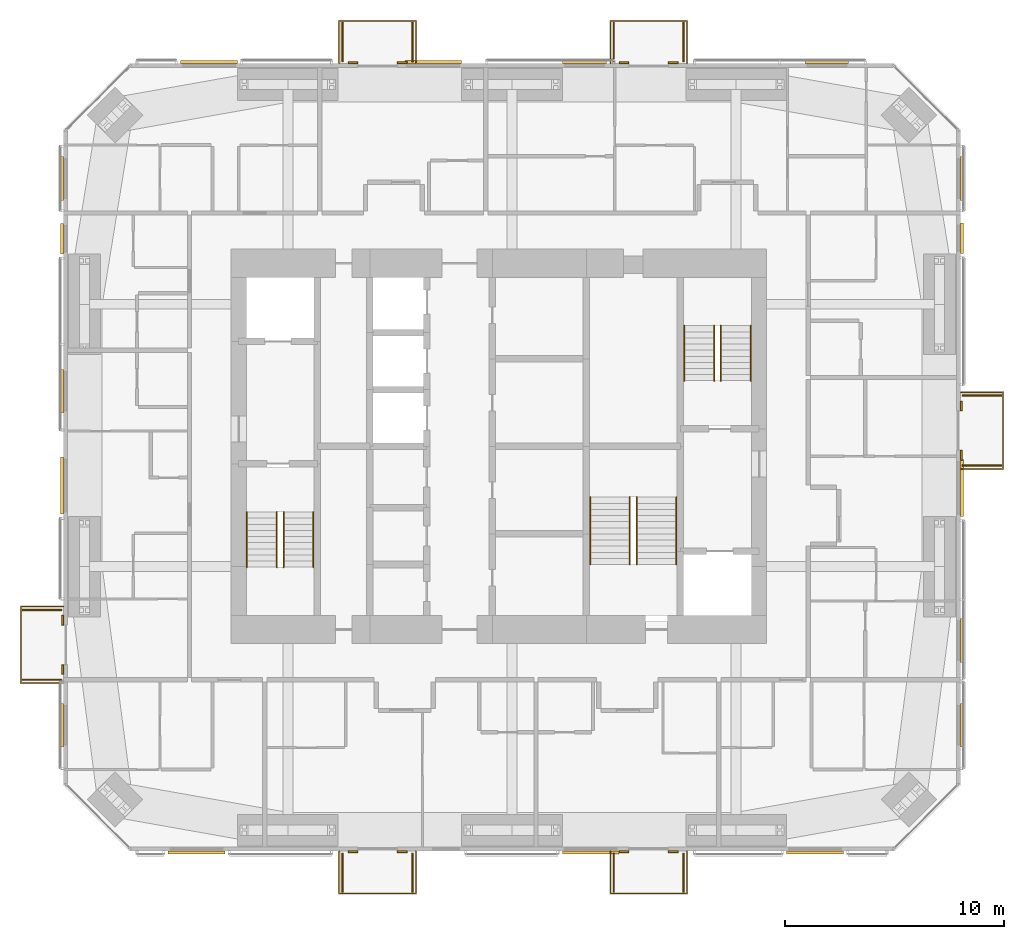
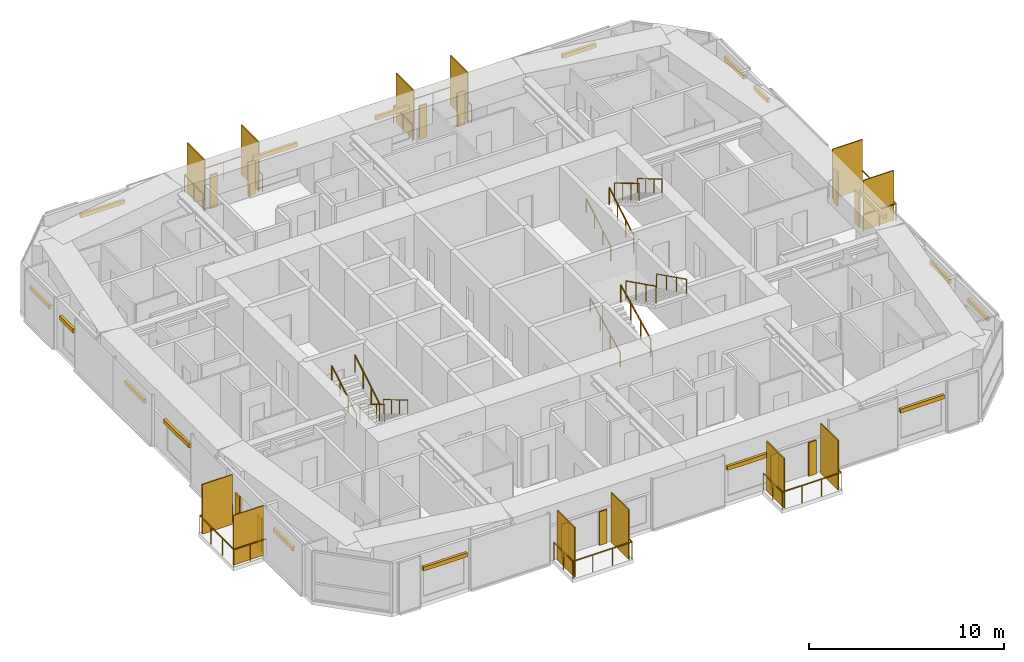
# One storey, part 23 of 23: 41 shading devices, 18 railings.
"""IFC4 building model written with IfcOpenShell, lengths in metres."""

from ifc_helpers import new_model, si_unit, direction, frame, origin, origin_2d, place, context, subcontext, project, spatial, rectangle, circle, extrude, material, layer, layer_set, constituent, constituent_set, type_object, element, save


model = new_model("IFC4")

# Units and contexts
model_context = context("Model", 3, precision=1e-05, world=origin(), true_north=direction((0.0, 1.0)))
body_context = subcontext(model_context, "Body", "Model", "MODEL_VIEW")
ifc_project = project(units=[si_unit("LENGTHUNIT", "METRE"), si_unit("AREAUNIT", "SQUARE_METRE"), si_unit("VOLUMEUNIT", "CUBIC_METRE"), si_unit("PLANEANGLEUNIT", "RADIAN"), si_unit("MASSUNIT", "GRAM", prefix="KILO")], contexts=[model_context])

# Site, building, storey
site_placement = place(None, origin())
site = spatial("IfcSite", under=ifc_project, at=site_placement, CompositionType="ELEMENT")
building_placement = place(site_placement, origin())
building = spatial("IfcBuilding", under=site, at=building_placement, Name="Jalousie Tower", CompositionType="ELEMENT")
storey_placement = place(building_placement, frame((0.0, 0.0, 171.10009765625)))
storey = spatial("IfcBuildingStorey", under=building, at=storey_placement, Name="L46", CompositionType="ELEMENT", Elevation=171.10009765625)

# Shading devices
ifc_material_1 = material(Name="Aluminium impact-rated louvred storm shutter", Category="aluminium")
shading_device_type_1 = type_object("IfcShadingDeviceType", Name="BI-FOLD STORM SHUTTER 900x2100", PredefinedType="SHUTTER", material=ifc_material_1)
for number, where, z_axis, x_axis, name in (
    (1, (25.22509765625, -0.0400390625, -0.000244140625), (0.0, 0.0, 1.0), (1.0, 0.0, 0.0), "Balcony storm shutter L46"),
    (2, (27.47509765625, -0.0400390625, -0.000244140625), (0.0, 0.0, 1.0), (1.0, 0.0, 0.0), "Balcony storm shutter L46"),
    (3, (37.625, -0.0400390625, -0.000244140625), (0.0, 0.0, 1.0), (1.0, 0.0, 0.0), "Balcony storm shutter L46"),
    (4, (39.875, -0.0400390625, -0.000244140625), (0.0, 0.0, 1.0), (1.0, 0.0, 0.0), "Balcony storm shutter L46"),
    (5, (53.0400390625, 18.10009765625, -0.000244140625), (0.0, 0.0, 1.0), (0.0, 1.0, 0.0), "Balcony storm shutter L46"),
    (6, (53.0400390625, 20.35009765625, -0.000244140625), (0.0, 0.0, 1.0), (0.0, 1.0, 0.0), "Balcony storm shutter L46"),
    (7, (39.875, 36.0400390625, -0.000244140625), (0.0, 0.0, 1.0), (-1.0, 0.0, 0.0), "Balcony storm shutter L46"),
    (8, (37.625, 36.0400390625, -0.000244140625), (0.0, 0.0, 1.0), (-1.0, 0.0, 0.0), "Balcony storm shutter L46"),
    (9, (27.47509765625, 36.0400390625, -0.000244140625), (0.0, 0.0, 1.0), (-1.0, 0.0, 0.0), "Balcony storm shutter L46"),
    (10, (25.22509765625, 36.0400390625, -0.000244140625), (0.0, 0.0, 1.0), (-1.0, 0.0, 0.0), "Balcony storm shutter L46"),
    (11, (11.9599609375, 10.550048828125, -0.000244140625), (0.0, 0.0, 1.0), (0.0, -1.0, 0.0), "Balcony storm shutter L46"),
    (12, (11.9599609375, 8.300048828125, -0.000244140625), (0.0, 0.0, 1.0), (0.0, -1.0, 0.0), "Balcony storm shutter L46"),
):
    element("IfcShadingDevice", number, at=place(storey_placement, frame(where, z_axis=z_axis, x_axis=x_axis)), inside=storey, type_object=shading_device_type_1, Name=name, PredefinedType="SHUTTER", context=body_context, shape_type="SweptSolid", body=[
        extrude(rectangle(XDim=0.449951171875, YDim=0.080078125, at=origin_2d()), origin(), (0.0, 0.0, 1.0), 2.10009765625),
    ])

# Railings
ifc_material_2 = material(Name="Powder-coated aluminium fretwork", Category="aluminium")
railing_type_1 = type_object("IfcRailingType", Name="FRETWORK BALUSTRADE 1100", PredefinedType="BALUSTRADE", material=ifc_material_2)
for number, where, name in (
    (13, (24.60009765625, 0.0, 0.0), "Balcony fretwork balustrade L46"),
    (14, (37.0, 0.0, 0.0), "Balcony fretwork balustrade L46"),
):
    element("IfcRailing", number, at=place(storey_placement, frame(where)), inside=storey, type_object=railing_type_1, Name=name, PredefinedType="BALUSTRADE", context=body_context, shape_type="SweptSolid", body=[
        extrude(rectangle(XDim=0.048095703125, YDim=0.048095703125, at=origin_2d()), frame((0.0, 0.0, 1.076171875), z_axis=(0.0, -1.0, 0.0), x_axis=(1.0, 0.0, 0.0)), (0.0, 0.0, 1.0), 1.949951171875),
        extrude(rectangle(XDim=0.048095703125, YDim=0.048095703125, at=origin_2d()), frame((0.0, -1.949951171875, 1.076171875), z_axis=(1.0, 0.0, 0.0), x_axis=(0.0, 1.0, 0.0)), (0.0, 0.0, 1.0), 3.5),
        extrude(rectangle(XDim=0.048095703125, YDim=0.048095703125, at=origin_2d()), frame((3.5, -1.949951171875, 1.076171875), z_axis=(0.0, 1.0, 0.0), x_axis=(-1.0, 0.0, 0.0)), (0.0, 0.0, 1.0), 1.949951171875),
        extrude(circle(Radius=0.02099609375, at=origin_2d()), origin(), (0.0, 0.0, 1.0), 1.052001953125),
        extrude(circle(Radius=0.02099609375, at=origin_2d()), frame((0.0, -0.97509765625, 0.0)), (0.0, 0.0, 1.0), 1.052001953125),
        extrude(circle(Radius=0.02099609375, at=origin_2d()), frame((0.0, -1.949951171875, 0.0)), (0.0, 0.0, 1.0), 1.052001953125),
        extrude(circle(Radius=0.02099609375, at=origin_2d()), frame((1.166748046875, -1.949951171875, 0.0)), (0.0, 0.0, 1.0), 1.052001953125),
        extrude(circle(Radius=0.02099609375, at=origin_2d()), frame((2.333251953125, -1.949951171875, 0.0)), (0.0, 0.0, 1.0), 1.052001953125),
        extrude(circle(Radius=0.02099609375, at=origin_2d()), frame((3.5, -1.949951171875, 0.0)), (0.0, 0.0, 1.0), 1.052001953125),
        extrude(circle(Radius=0.02099609375, at=origin_2d()), frame((3.5, -0.97509765625, 0.0)), (0.0, 0.0, 1.0), 1.052001953125),
        extrude(circle(Radius=0.02099609375, at=origin_2d()), frame((3.5, 0.0, 0.0)), (0.0, 0.0, 1.0), 1.052001953125),
    ])
railing_1_placement = place(storey_placement, frame((53.0, 17.47509765625, 0.0)))
element("IfcRailing", 15, at=railing_1_placement, inside=storey, type_object=railing_type_1, Name="Balcony fretwork balustrade L46", PredefinedType="BALUSTRADE", context=body_context, shape_type="SweptSolid", body=[
    extrude(rectangle(XDim=0.048095703125, YDim=0.048095703125, at=origin_2d()), frame((0.0, 0.0, 1.076171875), z_axis=(1.0, 0.0, 0.0), x_axis=(0.0, 1.0, 0.0)), (0.0, 0.0, 1.0), 1.949951171875),
    extrude(rectangle(XDim=0.048095703125, YDim=0.048095703125, at=origin_2d()), frame((1.949951171875, 0.0, 1.076171875), z_axis=(0.0, 1.0, 0.0), x_axis=(-1.0, 0.0, 0.0)), (0.0, 0.0, 1.0), 3.5),
    extrude(rectangle(XDim=0.048095703125, YDim=0.048095703125, at=origin_2d()), frame((1.949951171875, 3.5, 1.076171875), z_axis=(-1.0, 0.0, 0.0), x_axis=(0.0, -1.0, 0.0)), (0.0, 0.0, 1.0), 1.949951171875),
    extrude(circle(Radius=0.02099609375, at=origin_2d()), origin(), (0.0, 0.0, 1.0), 1.052001953125),
    extrude(circle(Radius=0.02099609375, at=origin_2d()), frame((0.97509765625, 0.0, 0.0)), (0.0, 0.0, 1.0), 1.052001953125),
    extrude(circle(Radius=0.02099609375, at=origin_2d()), frame((1.949951171875, 0.0, 0.0)), (0.0, 0.0, 1.0), 1.052001953125),
    extrude(circle(Radius=0.02099609375, at=origin_2d()), frame((1.949951171875, 1.166748046875, 0.0)), (0.0, 0.0, 1.0), 1.052001953125),
    extrude(circle(Radius=0.02099609375, at=origin_2d()), frame((1.949951171875, 2.333251953125, 0.0)), (0.0, 0.0, 1.0), 1.052001953125),
    extrude(circle(Radius=0.02099609375, at=origin_2d()), frame((1.949951171875, 3.5, 0.0)), (0.0, 0.0, 1.0), 1.052001953125),
    extrude(circle(Radius=0.02099609375, at=origin_2d()), frame((0.97509765625, 3.5, 0.0)), (0.0, 0.0, 1.0), 1.052001953125),
    extrude(circle(Radius=0.02099609375, at=origin_2d()), frame((0.0, 3.5, 0.0)), (0.0, 0.0, 1.0), 1.052001953125),
])
for number, where, name in (
    (16, (40.5, 36.0, 0.0), "Balcony fretwork balustrade L46"),
    (17, (28.10009765625, 36.0, 0.0), "Balcony fretwork balustrade L46"),
):
    element("IfcRailing", number, at=place(storey_placement, frame(where)), inside=storey, type_object=railing_type_1, Name=name, PredefinedType="BALUSTRADE", context=body_context, shape_type="SweptSolid", body=[
        extrude(rectangle(XDim=0.048095703125, YDim=0.048095703125, at=origin_2d()), frame((0.0, 0.0, 1.076171875), z_axis=(0.0, 1.0, 0.0), x_axis=(-1.0, 0.0, 0.0)), (0.0, 0.0, 1.0), 1.949951171875),
        extrude(rectangle(XDim=0.048095703125, YDim=0.048095703125, at=origin_2d()), frame((0.0, 1.949951171875, 1.076171875), z_axis=(-1.0, 0.0, 0.0), x_axis=(0.0, -1.0, 0.0)), (0.0, 0.0, 1.0), 3.5),
        extrude(rectangle(XDim=0.048095703125, YDim=0.048095703125, at=origin_2d()), frame((-3.5, 1.949951171875, 1.076171875), z_axis=(0.0, -1.0, 0.0), x_axis=(1.0, 0.0, 0.0)), (0.0, 0.0, 1.0), 1.949951171875),
        extrude(circle(Radius=0.02099609375, at=origin_2d()), origin(), (0.0, 0.0, 1.0), 1.052001953125),
        extrude(circle(Radius=0.02099609375, at=origin_2d()), frame((0.0, 0.97509765625, 0.0)), (0.0, 0.0, 1.0), 1.052001953125),
        extrude(circle(Radius=0.02099609375, at=origin_2d()), frame((0.0, 1.949951171875, 0.0)), (0.0, 0.0, 1.0), 1.052001953125),
        extrude(circle(Radius=0.02099609375, at=origin_2d()), frame((-1.166748046875, 1.949951171875, 0.0)), (0.0, 0.0, 1.0), 1.052001953125),
        extrude(circle(Radius=0.02099609375, at=origin_2d()), frame((-2.333251953125, 1.949951171875, 0.0)), (0.0, 0.0, 1.0), 1.052001953125),
        extrude(circle(Radius=0.02099609375, at=origin_2d()), frame((-3.5, 1.949951171875, 0.0)), (0.0, 0.0, 1.0), 1.052001953125),
        extrude(circle(Radius=0.02099609375, at=origin_2d()), frame((-3.5, 0.97509765625, 0.0)), (0.0, 0.0, 1.0), 1.052001953125),
        extrude(circle(Radius=0.02099609375, at=origin_2d()), frame((-3.5, 0.0, 0.0)), (0.0, 0.0, 1.0), 1.052001953125),
    ])
railing_2_placement = place(storey_placement, frame((12.0, 11.175048828125, 0.0)))
element("IfcRailing", 18, at=railing_2_placement, inside=storey, type_object=railing_type_1, Name="Balcony fretwork balustrade L46", PredefinedType="BALUSTRADE", context=body_context, shape_type="SweptSolid", body=[
    extrude(rectangle(XDim=0.048095703125, YDim=0.048095703125, at=origin_2d()), frame((0.0, 0.0, 1.076171875), z_axis=(-1.0, 0.0, 0.0), x_axis=(0.0, -1.0, 0.0)), (0.0, 0.0, 1.0), 1.949951171875),
    extrude(rectangle(XDim=0.048095703125, YDim=0.048095703125, at=origin_2d()), frame((-1.949951171875, 0.0, 1.076171875), z_axis=(0.0, -1.0, 0.0), x_axis=(1.0, 0.0, 0.0)), (0.0, 0.0, 1.0), 3.5),
    extrude(rectangle(XDim=0.048095703125, YDim=0.048095703125, at=origin_2d()), frame((-1.949951171875, -3.5, 1.076171875), z_axis=(1.0, 0.0, 0.0), x_axis=(0.0, 1.0, 0.0)), (0.0, 0.0, 1.0), 1.949951171875),
    extrude(circle(Radius=0.02099609375, at=origin_2d()), origin(), (0.0, 0.0, 1.0), 1.052001953125),
    extrude(circle(Radius=0.02099609375, at=origin_2d()), frame((-0.97509765625, 0.0, 0.0)), (0.0, 0.0, 1.0), 1.052001953125),
    extrude(circle(Radius=0.02099609375, at=origin_2d()), frame((-1.949951171875, 0.0, 0.0)), (0.0, 0.0, 1.0), 1.052001953125),
    extrude(circle(Radius=0.02099609375, at=origin_2d()), frame((-1.949951171875, -1.166748046875, 0.0)), (0.0, 0.0, 1.0), 1.052001953125),
    extrude(circle(Radius=0.02099609375, at=origin_2d()), frame((-1.949951171875, -2.333251953125, 0.0)), (0.0, 0.0, 1.0), 1.052001953125),
    extrude(circle(Radius=0.02099609375, at=origin_2d()), frame((-1.949951171875, -3.5, 0.0)), (0.0, 0.0, 1.0), 1.052001953125),
    extrude(circle(Radius=0.02099609375, at=origin_2d()), frame((-0.97509765625, -3.5, 0.0)), (0.0, 0.0, 1.0), 1.052001953125),
    extrude(circle(Radius=0.02099609375, at=origin_2d()), frame((0.0, -3.5, 0.0)), (0.0, 0.0, 1.0), 1.052001953125),
])

# Shading devices
ifc_material_3 = material(Name="Powder-coated aluminium louvres", Category="aluminium")
ifc_layer = layer(ifc_material_3, 0.06005859375)
ifc_layer_set = layer_set([ifc_layer], Name="Powder-coated aluminium louvres")
shading_device_type_2 = type_object("IfcShadingDeviceType", Name="JALOUSIE LOUVRE SCREEN", PredefinedType="JALOUSIE", material=ifc_layer_set)
for number, where, z_axis, x_axis, name in (
    (19, (24.75, -1.0, 0.0), (0.0, 0.0, 1.0), (1.0, 0.0, 0.0), "Jalousie louvre screen L46"),
    (20, (27.949951171875, -1.0, 0.0), (0.0, 0.0, 1.0), (1.0, 0.0, 0.0), "Jalousie louvre screen L46"),
    (21, (37.14990234375, -1.0, 0.0), (0.0, 0.0, 1.0), (1.0, 0.0, 0.0), "Jalousie louvre screen L46"),
    (22, (40.35009765625, -1.0, 0.0), (0.0, 0.0, 1.0), (1.0, 0.0, 0.0), "Jalousie louvre screen L46"),
    (23, (54.0, 17.625, 0.0), (0.0, 0.0, 1.0), (0.0, 1.0, 0.0), "Jalousie louvre screen L46"),
    (24, (54.0, 20.824951171875, 0.0), (0.0, 0.0, 1.0), (0.0, 1.0, 0.0), "Jalousie louvre screen L46"),
    (25, (40.35009765625, 37.0, 0.0), (0.0, 0.0, 1.0), (-1.0, 0.0, 0.0), "Jalousie louvre screen L46"),
    (26, (37.14990234375, 37.0, 0.0), (0.0, 0.0, 1.0), (-1.0, 0.0, 0.0), "Jalousie louvre screen L46"),
    (27, (27.949951171875, 37.0, 0.0), (0.0, 0.0, 1.0), (-1.0, 0.0, 0.0), "Jalousie louvre screen L46"),
    (28, (24.75, 37.0, 0.0), (0.0, 0.0, 1.0), (-1.0, 0.0, 0.0), "Jalousie louvre screen L46"),
    (29, (11.0, 11.02490234375, 0.0), (0.0, 0.0, 1.0), (0.0, -1.0, 0.0), "Jalousie louvre screen L46"),
    (30, (11.0, 7.824951171875, 0.0), (0.0, 0.0, 1.0), (0.0, -1.0, 0.0), "Jalousie louvre screen L46"),
):
    element("IfcShadingDevice", number, at=place(storey_placement, frame(where, z_axis=z_axis, x_axis=x_axis)), inside=storey, type_object=shading_device_type_2, Name=name, PredefinedType="JALOUSIE", context=body_context, shape_type="SweptSolid", body=[
        extrude(rectangle(XDim=0.06005859375, YDim=1.800048828125, at=origin_2d()), origin(), (0.0, 0.0, 1.0), 3.110107421875),
    ])

# Railings
ifc_material_4 = material(Name="Steel ASTM A500 Grade C", Category="steel")
ifc_constituent_1 = constituent(ifc_material_4, Name="Body")
ifc_material_5 = material(Name="Hot-dip galvanised zinc coating")
ifc_constituent_2 = constituent(ifc_material_5, Name="Finish")
ifc_constituent_set_1 = constituent_set(constituents=[ifc_constituent_1, ifc_constituent_2])
railing_type_2 = type_object("IfcRailingType", Name="STAIR GUARD 1100", PredefinedType="GUARDRAIL", material=ifc_constituent_set_1)
railing_3_placement = place(storey_placement, frame((22.054931640625, 15.49755859375, 0.16748046875)))
element("IfcRailing", 31, at=railing_3_placement, inside=storey, type_object=railing_type_2, Name="Exit stair A guard L46 flight 1", PredefinedType="GUARDRAIL", context=body_context, shape_type="SweptSolid", body=[
    extrude(rectangle(XDim=0.048095703125, YDim=0.048095703125, at=origin_2d()), frame((0.0, 0.0, 1.076171875), z_axis=(0.0, -0.858196387827, 0.513321497621), x_axis=(1.0, 0.0, 0.0)), (0.0, 0.0, 1.0), 2.9365234375),
    extrude(circle(Radius=0.02099609375, at=origin_2d()), origin(), (0.0, 0.0, 1.0), 1.052001953125),
    extrude(circle(Radius=0.02099609375, at=origin_2d()), frame((0.0, -0.840087890625, 0.50244140625)), (0.0, 0.0, 1.0), 1.052001953125),
    extrude(circle(Radius=0.02099609375, at=origin_2d()), frame((0.0, -1.679931640625, 1.0048828125)), (0.0, 0.0, 1.0), 1.052001953125),
    extrude(circle(Radius=0.02099609375, at=origin_2d()), frame((0.0, -2.52001953125, 1.50732421875)), (0.0, 0.0, 1.0), 1.052001953125),
])
railing_4_placement = place(storey_placement, frame((21.7451171875, 12.9775390625, 1.84228515625)))
element("IfcRailing", 32, at=railing_4_placement, inside=storey, type_object=railing_type_2, Name="Exit stair A guard L46 flight 2", PredefinedType="GUARDRAIL", context=body_context, shape_type="SweptSolid", body=[
    extrude(rectangle(XDim=0.048095703125, YDim=0.048095703125, at=origin_2d()), frame((0.0, 0.0, 1.076171875), z_axis=(0.0, 0.858159760407, 0.513382728203), x_axis=(-1.0, 0.0, 0.0)), (0.0, 0.0, 1.0), 2.9365234375),
    extrude(circle(Radius=0.02099609375, at=origin_2d()), origin(), (0.0, 0.0, 1.0), 1.052001953125),
    extrude(circle(Radius=0.02099609375, at=origin_2d()), frame((0.0, 0.840087890625, 0.50244140625)), (0.0, 0.0, 1.0), 1.052001953125),
    extrude(circle(Radius=0.02099609375, at=origin_2d()), frame((0.0, 1.679931640625, 1.005126953125)), (0.0, 0.0, 1.0), 1.052001953125),
    extrude(circle(Radius=0.02099609375, at=origin_2d()), frame((0.0, 2.52001953125, 1.507568359375)), (0.0, 0.0, 1.0), 1.052001953125),
])
railing_5_placement = place(storey_placement, frame((41.7451171875, 21.50244140625, 0.16748046875)))
element("IfcRailing", 33, at=railing_5_placement, inside=storey, type_object=railing_type_2, Name="Exit stair B guard L46 flight 1", PredefinedType="GUARDRAIL", context=body_context, shape_type="SweptSolid", body=[
    extrude(rectangle(XDim=0.048095703125, YDim=0.048095703125, at=origin_2d()), frame((0.0, 0.0, 1.076171875), z_axis=(0.0, 0.858196387827, 0.513321497621), x_axis=(-1.0, 0.0, 0.0)), (0.0, 0.0, 1.0), 2.9365234375),
    extrude(circle(Radius=0.02099609375, at=origin_2d()), origin(), (0.0, 0.0, 1.0), 1.052001953125),
    extrude(circle(Radius=0.02099609375, at=origin_2d()), frame((0.0, 0.840087890625, 0.50244140625)), (0.0, 0.0, 1.0), 1.052001953125),
    extrude(circle(Radius=0.02099609375, at=origin_2d()), frame((0.0, 1.679931640625, 1.0048828125)), (0.0, 0.0, 1.0), 1.052001953125),
    extrude(circle(Radius=0.02099609375, at=origin_2d()), frame((0.0, 2.52001953125, 1.50732421875)), (0.0, 0.0, 1.0), 1.052001953125),
])
railing_6_placement = place(storey_placement, frame((42.054931640625, 24.0224609375, 1.84228515625)))
element("IfcRailing", 34, at=railing_6_placement, inside=storey, type_object=railing_type_2, Name="Exit stair B guard L46 flight 2", PredefinedType="GUARDRAIL", context=body_context, shape_type="SweptSolid", body=[
    extrude(rectangle(XDim=0.048095703125, YDim=0.048095703125, at=origin_2d()), frame((0.0, 0.0, 1.076171875), z_axis=(0.0, -0.858159760407, 0.513382728203), x_axis=(1.0, 0.0, 0.0)), (0.0, 0.0, 1.0), 2.9365234375),
    extrude(circle(Radius=0.02099609375, at=origin_2d()), origin(), (0.0, 0.0, 1.0), 1.052001953125),
    extrude(circle(Radius=0.02099609375, at=origin_2d()), frame((0.0, -0.840087890625, 0.50244140625)), (0.0, 0.0, 1.0), 1.052001953125),
    extrude(circle(Radius=0.02099609375, at=origin_2d()), frame((0.0, -1.679931640625, 1.005126953125)), (0.0, 0.0, 1.0), 1.052001953125),
    extrude(circle(Radius=0.02099609375, at=origin_2d()), frame((0.0, -2.52001953125, 1.507568359375)), (0.0, 0.0, 1.0), 1.052001953125),
])
railing_7_placement = place(storey_placement, frame((37.89501953125, 13.097412109375, 0.139404296875)))
element("IfcRailing", 35, at=railing_7_placement, inside=storey, type_object=railing_type_2, Name="Exit stair C guard L46 flight 1", PredefinedType="GUARDRAIL", context=body_context, shape_type="SweptSolid", body=[
    extrude(rectangle(XDim=0.048095703125, YDim=0.048095703125, at=origin_2d()), frame((0.0, 0.0, 1.076171875), z_axis=(0.0, 0.894965676997, 0.446134998624), x_axis=(-1.0, 0.0, 0.0)), (0.0, 0.0, 1.0), 3.441650390625),
    extrude(circle(Radius=0.02099609375, at=origin_2d()), origin(), (0.0, 0.0, 1.0), 1.052001953125),
    extrude(circle(Radius=0.02099609375, at=origin_2d()), frame((0.0, 1.026611328125, 0.51171875)), (0.0, 0.0, 1.0), 1.052001953125),
    extrude(circle(Radius=0.02099609375, at=origin_2d()), frame((0.0, 2.053466796875, 1.023681640625)), (0.0, 0.0, 1.0), 1.052001953125),
    extrude(circle(Radius=0.02099609375, at=origin_2d()), frame((0.0, 3.080078125, 1.535400390625)), (0.0, 0.0, 1.0), 1.052001953125),
])
railing_8_placement = place(storey_placement, frame((38.205078125, 16.177490234375, 1.814453125)))
element("IfcRailing", 36, at=railing_8_placement, inside=storey, type_object=railing_type_2, Name="Exit stair C guard L46 flight 2", PredefinedType="GUARDRAIL", context=body_context, shape_type="SweptSolid", body=[
    extrude(rectangle(XDim=0.048095703125, YDim=0.048095703125, at=origin_2d()), frame((0.0, 0.0, 1.076171875), z_axis=(0.0, -0.894965676997, 0.446134998624), x_axis=(1.0, 0.0, 0.0)), (0.0, 0.0, 1.0), 3.441650390625),
    extrude(circle(Radius=0.02099609375, at=origin_2d()), origin(), (0.0, 0.0, 1.0), 1.052001953125),
    extrude(circle(Radius=0.02099609375, at=origin_2d()), frame((0.0, -1.026611328125, 0.51171875)), (0.0, 0.0, 1.0), 1.052001953125),
    extrude(circle(Radius=0.02099609375, at=origin_2d()), frame((0.0, -2.053466796875, 1.023681640625)), (0.0, 0.0, 1.0), 1.052001953125),
    extrude(circle(Radius=0.02099609375, at=origin_2d()), frame((0.0, -3.080078125, 1.535400390625)), (0.0, 0.0, 1.0), 1.052001953125),
])
ifc_material_6 = material(Name="Steel ASTM A500 Grade C", Category="steel")
ifc_constituent_3 = constituent(ifc_material_6, Name="Body")
ifc_material_7 = material(Name="Hot-dip galvanised zinc coating")
ifc_constituent_4 = constituent(ifc_material_7, Name="Finish")
ifc_constituent_set_2 = constituent_set(constituents=[ifc_constituent_3, ifc_constituent_4])
railing_type_3 = type_object("IfcRailingType", Name="STAIR HANDRAIL 900", PredefinedType="HANDRAIL", material=ifc_constituent_set_2)
railing_9_placement = place(storey_placement, frame((23.419921875, 15.49755859375, 0.16748046875)))
element("IfcRailing", 37, at=railing_9_placement, inside=storey, type_object=railing_type_3, Name="Exit stair A handrail L46 flight 1", PredefinedType="HANDRAIL", context=body_context, shape_type="SweptSolid", body=[
    extrude(circle(Radius=0.02392578125, at=origin_2d()), frame((0.0, 0.0, 0.8759765625), z_axis=(0.0, -0.858196387827, 0.513321497621), x_axis=(1.0, 0.0, 0.0)), (0.0, 0.0, 1.0), 2.9365234375),
    extrude(circle(Radius=0.02099609375, at=origin_2d()), origin(), (0.0, 0.0, 1.0), 0.851806640625),
    extrude(circle(Radius=0.02099609375, at=origin_2d()), frame((0.0, -0.840087890625, 0.50244140625)), (0.0, 0.0, 1.0), 0.851806640625),
    extrude(circle(Radius=0.02099609375, at=origin_2d()), frame((0.0, -1.679931640625, 1.0048828125)), (0.0, 0.0, 1.0), 0.851806640625),
    extrude(circle(Radius=0.02099609375, at=origin_2d()), frame((0.0, -2.52001953125, 1.50732421875)), (0.0, 0.0, 1.0), 0.851806640625),
])
railing_10_placement = place(storey_placement, frame((20.3798828125, 12.9775390625, 1.84228515625)))
element("IfcRailing", 38, at=railing_10_placement, inside=storey, type_object=railing_type_3, Name="Exit stair A handrail L46 flight 2", PredefinedType="HANDRAIL", context=body_context, shape_type="SweptSolid", body=[
    extrude(circle(Radius=0.02392578125, at=origin_2d()), frame((0.0, 0.0, 0.8759765625), z_axis=(0.0, 0.858159760407, 0.513382728203), x_axis=(-1.0, 0.0, 0.0)), (0.0, 0.0, 1.0), 2.9365234375),
    extrude(circle(Radius=0.02099609375, at=origin_2d()), origin(), (0.0, 0.0, 1.0), 0.851806640625),
    extrude(circle(Radius=0.02099609375, at=origin_2d()), frame((0.0, 0.840087890625, 0.50244140625)), (0.0, 0.0, 1.0), 0.851806640625),
    extrude(circle(Radius=0.02099609375, at=origin_2d()), frame((0.0, 1.679931640625, 1.005126953125)), (0.0, 0.0, 1.0), 0.851806640625),
    extrude(circle(Radius=0.02099609375, at=origin_2d()), frame((0.0, 2.52001953125, 1.507568359375)), (0.0, 0.0, 1.0), 0.851806640625),
])
railing_11_placement = place(storey_placement, frame((40.3798828125, 21.50244140625, 0.16748046875)))
element("IfcRailing", 39, at=railing_11_placement, inside=storey, type_object=railing_type_3, Name="Exit stair B handrail L46 flight 1", PredefinedType="HANDRAIL", context=body_context, shape_type="SweptSolid", body=[
    extrude(circle(Radius=0.02392578125, at=origin_2d()), frame((0.0, 0.0, 0.8759765625), z_axis=(0.0, 0.858196387827, 0.513321497621), x_axis=(-1.0, 0.0, 0.0)), (0.0, 0.0, 1.0), 2.9365234375),
    extrude(circle(Radius=0.02099609375, at=origin_2d()), origin(), (0.0, 0.0, 1.0), 0.851806640625),
    extrude(circle(Radius=0.02099609375, at=origin_2d()), frame((0.0, 0.840087890625, 0.50244140625)), (0.0, 0.0, 1.0), 0.851806640625),
    extrude(circle(Radius=0.02099609375, at=origin_2d()), frame((0.0, 1.679931640625, 1.0048828125)), (0.0, 0.0, 1.0), 0.851806640625),
    extrude(circle(Radius=0.02099609375, at=origin_2d()), frame((0.0, 2.52001953125, 1.50732421875)), (0.0, 0.0, 1.0), 0.851806640625),
])
railing_12_placement = place(storey_placement, frame((43.419921875, 24.0224609375, 1.84228515625)))
element("IfcRailing", 40, at=railing_12_placement, inside=storey, type_object=railing_type_3, Name="Exit stair B handrail L46 flight 2", PredefinedType="HANDRAIL", context=body_context, shape_type="SweptSolid", body=[
    extrude(circle(Radius=0.02392578125, at=origin_2d()), frame((0.0, 0.0, 0.8759765625), z_axis=(0.0, -0.858159760407, 0.513382728203), x_axis=(1.0, 0.0, 0.0)), (0.0, 0.0, 1.0), 2.9365234375),
    extrude(circle(Radius=0.02099609375, at=origin_2d()), origin(), (0.0, 0.0, 1.0), 0.851806640625),
    extrude(circle(Radius=0.02099609375, at=origin_2d()), frame((0.0, -0.840087890625, 0.50244140625)), (0.0, 0.0, 1.0), 0.851806640625),
    extrude(circle(Radius=0.02099609375, at=origin_2d()), frame((0.0, -1.679931640625, 1.005126953125)), (0.0, 0.0, 1.0), 0.851806640625),
    extrude(circle(Radius=0.02099609375, at=origin_2d()), frame((0.0, -2.52001953125, 1.507568359375)), (0.0, 0.0, 1.0), 0.851806640625),
])
railing_13_placement = place(storey_placement, frame((36.080078125, 13.097412109375, 0.139404296875)))
element("IfcRailing", 41, at=railing_13_placement, inside=storey, type_object=railing_type_3, Name="Exit stair C handrail L46 flight 1", PredefinedType="HANDRAIL", context=body_context, shape_type="SweptSolid", body=[
    extrude(circle(Radius=0.02392578125, at=origin_2d()), frame((0.0, 0.0, 0.8759765625), z_axis=(0.0, 0.894965676997, 0.446134998624), x_axis=(-1.0, 0.0, 0.0)), (0.0, 0.0, 1.0), 3.441650390625),
    extrude(circle(Radius=0.02099609375, at=origin_2d()), origin(), (0.0, 0.0, 1.0), 0.851806640625),
    extrude(circle(Radius=0.02099609375, at=origin_2d()), frame((0.0, 1.026611328125, 0.51171875)), (0.0, 0.0, 1.0), 0.851806640625),
    extrude(circle(Radius=0.02099609375, at=origin_2d()), frame((0.0, 2.053466796875, 1.023681640625)), (0.0, 0.0, 1.0), 0.851806640625),
    extrude(circle(Radius=0.02099609375, at=origin_2d()), frame((0.0, 3.080078125, 1.535400390625)), (0.0, 0.0, 1.0), 0.851806640625),
])
railing_14_placement = place(storey_placement, frame((40.02001953125, 16.177490234375, 1.814453125)))
element("IfcRailing", 42, at=railing_14_placement, inside=storey, type_object=railing_type_3, Name="Exit stair C handrail L46 flight 2", PredefinedType="HANDRAIL", context=body_context, shape_type="SweptSolid", body=[
    extrude(circle(Radius=0.02392578125, at=origin_2d()), frame((0.0, 0.0, 0.8759765625), z_axis=(0.0, -0.894965676997, 0.446134998624), x_axis=(1.0, 0.0, 0.0)), (0.0, 0.0, 1.0), 3.441650390625),
    extrude(circle(Radius=0.02099609375, at=origin_2d()), origin(), (0.0, 0.0, 1.0), 0.851806640625),
    extrude(circle(Radius=0.02099609375, at=origin_2d()), frame((0.0, -1.026611328125, 0.51171875)), (0.0, 0.0, 1.0), 0.851806640625),
    extrude(circle(Radius=0.02099609375, at=origin_2d()), frame((0.0, -2.053466796875, 1.023681640625)), (0.0, 0.0, 1.0), 0.851806640625),
    extrude(circle(Radius=0.02099609375, at=origin_2d()), frame((0.0, -3.080078125, 1.535400390625)), (0.0, 0.0, 1.0), 0.851806640625),
])

# Shading devices
ifc_material_8 = material(Name="Aluminium roller storm shutter", Category="aluminium")
shading_device_type_3 = type_object("IfcShadingDeviceType", Name="STORM SHUTTER HOUSING", PredefinedType="SHUTTER", material=ifc_material_8)
for number, where, z_axis, x_axis, name in (
    (43, (18.07568359375, -0.074951171875, 2.099853515625), (0.0, 0.0, 1.0), (1.0, 0.0, 0.0), "Storm shutter L46"),
    (44, (36.10009765625, -0.074951171875, 2.099853515625), (0.0, 0.0, 1.0), (1.0, 0.0, 0.0), "Storm shutter L46"),
    (45, (46.359375, -0.074951171875, 2.099853515625), (0.0, 0.0, 1.0), (1.0, 0.0, 0.0), "Storm shutter L46"),
):
    element("IfcShadingDevice", number, at=place(storey_placement, frame(where, z_axis=z_axis, x_axis=x_axis)), inside=storey, type_object=shading_device_type_3, Name=name, PredefinedType="SHUTTER", context=body_context, shape_type="SweptSolid", body=[
        extrude(rectangle(XDim=2.60009765625, YDim=0.14990234375, at=origin_2d()), origin(), (0.0, 0.0, 1.0), 0.25),
    ])
for number, where, z_axis, x_axis, name in (
    (46, (53.074951171875, 5.748046875, 2.099853515625), (0.0, 0.0, 1.0), (0.0, 1.0, 0.0), "Storm shutter L46"),
    (47, (53.074951171875, 9.625, 2.099853515625), (0.0, 0.0, 1.0), (0.0, 1.0, 0.0), "Storm shutter L46"),
):
    element("IfcShadingDevice", number, at=place(storey_placement, frame(where, z_axis=z_axis, x_axis=x_axis)), inside=storey, type_object=shading_device_type_3, Name=name, PredefinedType="SHUTTER", context=body_context, shape_type="SweptSolid", body=[
        extrude(rectangle(XDim=2.0, YDim=0.14990234375, at=origin_2d()), origin(), (0.0, 0.0, 1.0), 0.25),
    ])
shading_device_1_placement = place(storey_placement, frame((53.074951171875, 16.60009765625, 2.099853515625), z_axis=(0.0, 0.0, 1.0), x_axis=(0.0, 1.0, 0.0)))
element("IfcShadingDevice", 48, at=shading_device_1_placement, inside=storey, type_object=shading_device_type_3, Name="Storm shutter L46", PredefinedType="SHUTTER", context=body_context, shape_type="SweptSolid", body=[
    extrude(rectangle(XDim=2.60009765625, YDim=0.14990234375, at=origin_2d()), origin(), (0.0, 0.0, 1.0), 0.25),
])
shading_device_2_placement = place(storey_placement, frame((53.074951171875, 28.0244140625, 2.099853515625), z_axis=(0.0, 0.0, 1.0), x_axis=(0.0, 1.0, 0.0)))
element("IfcShadingDevice", 49, at=shading_device_2_placement, inside=storey, type_object=shading_device_type_3, Name="Storm shutter L46", PredefinedType="SHUTTER", context=body_context, shape_type="SweptSolid", body=[
    extrude(rectangle(XDim=1.39990234375, YDim=0.14990234375, at=origin_2d()), origin(), (0.0, 0.0, 1.0), 0.25),
])
for number, where, z_axis, x_axis, name in (
    (50, (53.074951171875, 30.751708984375, 2.099853515625), (0.0, 0.0, 1.0), (0.0, 1.0, 0.0), "Storm shutter L46"),
    (51, (46.89990234375, 36.074951171875, 2.099853515625), (0.0, 0.0, 1.0), (-1.0, 0.0, 0.0), "Storm shutter L46"),
    (52, (35.8173828125, 36.074951171875, 2.099853515625), (0.0, 0.0, 1.0), (-1.0, 0.0, 0.0), "Storm shutter L46"),
):
    element("IfcShadingDevice", number, at=place(storey_placement, frame(where, z_axis=z_axis, x_axis=x_axis)), inside=storey, type_object=shading_device_type_3, Name=name, PredefinedType="SHUTTER", context=body_context, shape_type="SweptSolid", body=[
        extrude(rectangle(XDim=2.0, YDim=0.14990234375, at=origin_2d()), origin(), (0.0, 0.0, 1.0), 0.25),
    ])
for number, where, z_axis, x_axis, name in (
    (53, (28.8955078125, 36.074951171875, 2.099853515625), (0.0, 0.0, 1.0), (-1.0, 0.0, 0.0), "Storm shutter L46"),
    (54, (18.64453125, 36.074951171875, 2.099853515625), (0.0, 0.0, 1.0), (-1.0, 0.0, 0.0), "Storm shutter L46"),
):
    element("IfcShadingDevice", number, at=place(storey_placement, frame(where, z_axis=z_axis, x_axis=x_axis)), inside=storey, type_object=shading_device_type_3, Name=name, PredefinedType="SHUTTER", context=body_context, shape_type="SweptSolid", body=[
        extrude(rectangle(XDim=2.60009765625, YDim=0.14990234375, at=origin_2d()), origin(), (0.0, 0.0, 1.0), 0.25),
    ])
shading_device_3_placement = place(storey_placement, frame((11.925048828125, 30.751953125, 2.099853515625), z_axis=(0.0, 0.0, 1.0), x_axis=(0.0, -1.0, 0.0)))
element("IfcShadingDevice", 55, at=shading_device_3_placement, inside=storey, type_object=shading_device_type_3, Name="Storm shutter L46", PredefinedType="SHUTTER", context=body_context, shape_type="SweptSolid", body=[
    extrude(rectangle(XDim=2.0, YDim=0.14990234375, at=origin_2d()), origin(), (0.0, 0.0, 1.0), 0.25),
])
shading_device_4_placement = place(storey_placement, frame((11.925048828125, 28.0, 2.099853515625), z_axis=(0.0, 0.0, 1.0), x_axis=(0.0, -1.0, 0.0)))
element("IfcShadingDevice", 56, at=shading_device_4_placement, inside=storey, type_object=shading_device_type_3, Name="Storm shutter L46", PredefinedType="SHUTTER", context=body_context, shape_type="SweptSolid", body=[
    extrude(rectangle(XDim=1.39990234375, YDim=0.14990234375, at=origin_2d()), origin(), (0.0, 0.0, 1.0), 0.25),
])
shading_device_5_placement = place(storey_placement, frame((11.925048828125, 21.02490234375, 2.099853515625), z_axis=(0.0, 0.0, 1.0), x_axis=(0.0, -1.0, 0.0)))
element("IfcShadingDevice", 57, at=shading_device_5_placement, inside=storey, type_object=shading_device_type_3, Name="Storm shutter L46", PredefinedType="SHUTTER", context=body_context, shape_type="SweptSolid", body=[
    extrude(rectangle(XDim=2.0, YDim=0.14990234375, at=origin_2d()), origin(), (0.0, 0.0, 1.0), 0.25),
])
shading_device_6_placement = place(storey_placement, frame((11.925048828125, 16.705078125, 2.099853515625), z_axis=(0.0, 0.0, 1.0), x_axis=(0.0, -1.0, 0.0)))
element("IfcShadingDevice", 58, at=shading_device_6_placement, inside=storey, type_object=shading_device_type_3, Name="Storm shutter L46", PredefinedType="SHUTTER", context=body_context, shape_type="SweptSolid", body=[
    extrude(rectangle(XDim=2.60009765625, YDim=0.14990234375, at=origin_2d()), origin(), (0.0, 0.0, 1.0), 0.25),
])
shading_device_7_placement = place(storey_placement, frame((11.925048828125, 5.748291015625, 2.099853515625), z_axis=(0.0, 0.0, 1.0), x_axis=(0.0, -1.0, 0.0)))
element("IfcShadingDevice", 59, at=shading_device_7_placement, inside=storey, type_object=shading_device_type_3, Name="Storm shutter L46", PredefinedType="SHUTTER", context=body_context, shape_type="SweptSolid", body=[
    extrude(rectangle(XDim=2.0, YDim=0.14990234375, at=origin_2d()), origin(), (0.0, 0.0, 1.0), 0.25),
])

save(model, "model.ifc")
